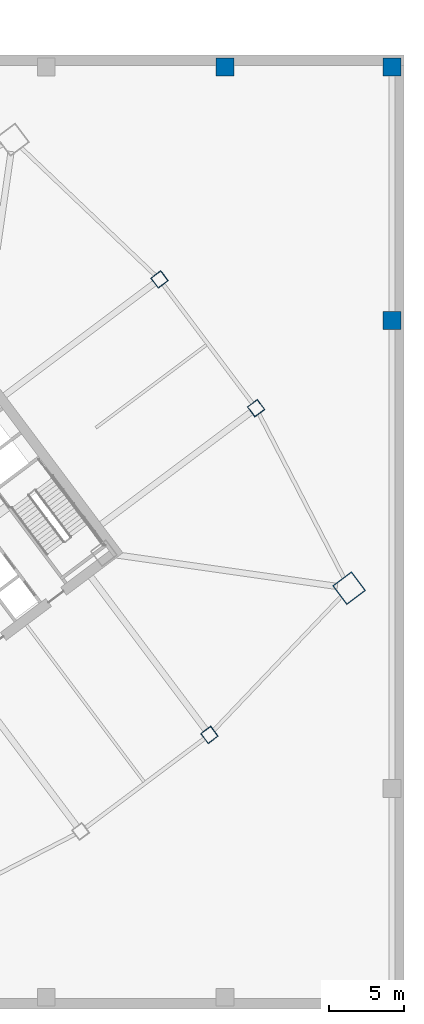
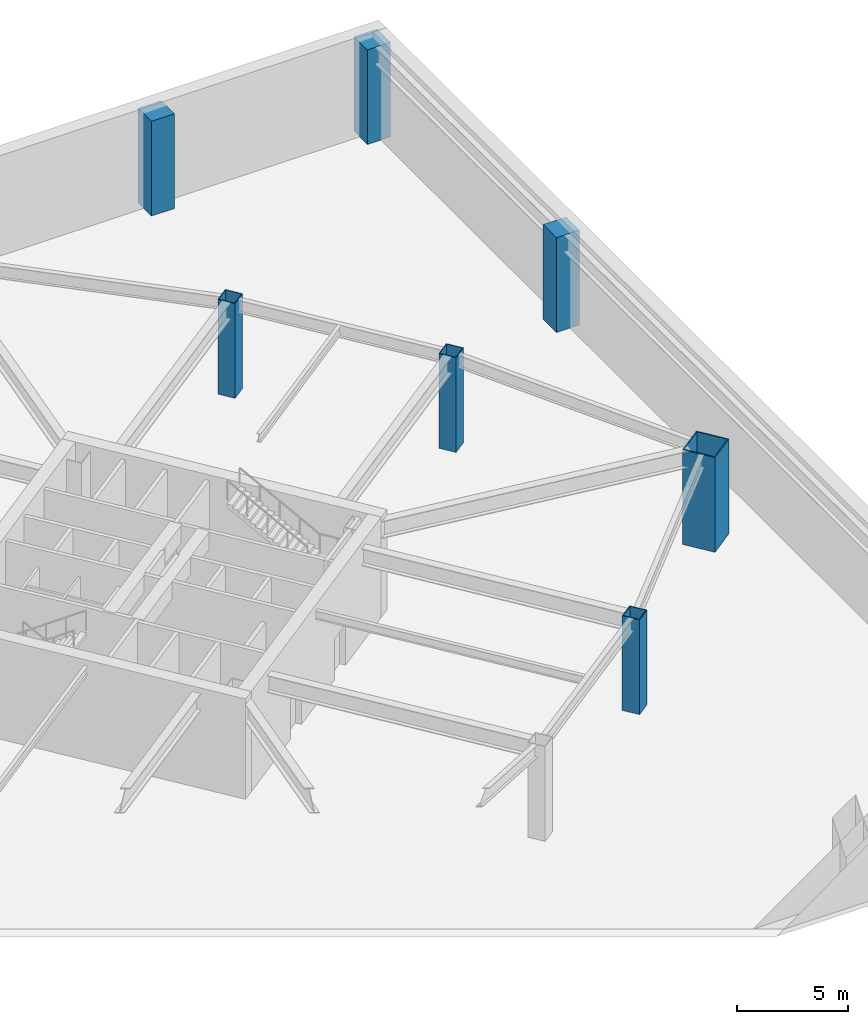
# One storey, part 4 of 17: 7 columns.
"""IFC4 building model written with IfcOpenShell, lengths in metres."""

import ifcopenshell
import ifcopenshell.guid

model = None  # the IFC model being written
_history = None  # IfcOwnerHistory: only IFC2X3 demands one
_inside = {}  # id of a spatial element -> (the spatial element, [elements in it])
_under = {}  # id of a project, library or spatial element -> (it, [spatial elements below it])
_declared = {}  # id of a project -> (the project, [libraries it declares])
_typed = {}  # id of a type object -> (the type object, [elements of that type])
_made_of = {}  # id of a material, layer set ... -> (it, [elements and type objects made of it])


def new_model(schema):
    """Start an empty IFC model of exactly this schema.

    Asked for "IFC4X3", IfcOpenShell would pick the latest addendum, in which some entities
    have other attributes; the version numbers below select the first issue.
    IFC2X3 requires an IfcOwnerHistory on every rooted entity: one is made here for all.
    """
    global model, _history
    if schema == "IFC4X3":
        model = ifcopenshell.file(schema_version=(4, 3, 0, 0))
    else:
        model = ifcopenshell.file(schema=schema)
    _inside.clear()
    _under.clear()
    _declared.clear()
    _typed.clear()
    _made_of.clear()
    _history = None
    if model.schema == "IFC2X3":
        org = make("IfcOrganization", Name="unknown")
        user = make(
            "IfcPersonAndOrganization",
            ThePerson=make("IfcPerson", FamilyName="unknown"),
            TheOrganization=org,
        )
        app = make(
            "IfcApplication",
            ApplicationDeveloper=org,
            Version="unknown",
            ApplicationFullName="unknown",
            ApplicationIdentifier="unknown",
        )
        _history = make(
            "IfcOwnerHistory",
            OwningUser=user,
            OwningApplication=app,
            ChangeAction="ADDED",
            CreationDate=0,
        )
    return model


def make(cls, **values):
    """One entity of the class cls with the attributes given. An attribute that is None is left unset."""
    return model.create_entity(
        cls, **{name: value for name, value in values.items() if value is not None}
    )


def rooted(cls, **values):
    """An entity with a GlobalId (a new one), such as an element, a storey or a relation."""
    return make(cls, GlobalId=ifcopenshell.guid.new(), OwnerHistory=_history, **values)


def si_unit(unit_type, name, prefix=None):
    """IfcSIUnit, for example si_unit("LENGTHUNIT", "METRE", prefix="MILLI")."""
    return make("IfcSIUnit", UnitType=unit_type, Prefix=prefix, Name=name)


def assignment(units):
    """IfcUnitAssignment: the units of a project."""
    return None if units is None else make("IfcUnitAssignment", Units=units)


def point(xyz):
    """IfcCartesianPoint."""
    return None if xyz is None else make("IfcCartesianPoint", Coordinates=xyz)


def direction(xyz):
    """IfcDirection."""
    return None if xyz is None else make("IfcDirection", DirectionRatios=xyz)


def frame(location, z_axis=None, x_axis=None):
    """IfcAxis2Placement3D, a coordinate frame: its origin and axes. An axis left out is left unset."""
    return make(
        "IfcAxis2Placement3D",
        Location=point(location),
        Axis=direction(z_axis),
        RefDirection=direction(x_axis),
    )


def frame_2d(location, x_axis=None):
    """IfcAxis2Placement2D, a coordinate frame in the plane: its origin and x axis."""
    return make(
        "IfcAxis2Placement2D", Location=point(location), RefDirection=direction(x_axis)
    )


def origin():
    """The frame at (0, 0, 0) with its axes left unset."""
    return frame((0.0, 0.0, 0.0))


def origin_2d():
    """The frame at (0, 0) in the plane with its x axis left unset."""
    return frame_2d((0.0, 0.0))


def place(relative_to, where):
    """IfcLocalPlacement: puts the frame where relative to a parent placement (None: the world)."""
    return make(
        "IfcLocalPlacement", PlacementRelTo=relative_to, RelativePlacement=where
    )


def context(
    kind, dimensions, precision=None, world=None, true_north=None, identifier=None
):
    """IfcGeometricRepresentationContext, for example the 3D "Model" context."""
    return make(
        "IfcGeometricRepresentationContext",
        ContextIdentifier=identifier,
        ContextType=kind,
        CoordinateSpaceDimension=dimensions,
        Precision=precision,
        WorldCoordinateSystem=world,
        TrueNorth=true_north,
    )


def subcontext(parent, identifier, kind, view, scale=None):
    """IfcGeometricRepresentationSubContext, for example "Body" below "Model"."""
    return make(
        "IfcGeometricRepresentationSubContext",
        ContextIdentifier=identifier,
        ContextType=kind,
        ParentContext=parent,
        TargetScale=scale,
        TargetView=view,
    )


def project(units=None, contexts=None):
    """IfcProject with its units and contexts."""
    return rooted(
        "IfcProject",
        Name="project",
        RepresentationContexts=contexts,
        UnitsInContext=assignment(units),
    )


def spatial(cls, under=None, at=None, **own):
    """A site, building, storey or space (cls), placed at a placement, below another one or the project."""
    s = rooted(cls, ObjectPlacement=at, **own)
    if under is not None:
        _under.setdefault(under.id(), (under, []))[1].append(s)
    return s


def profile(cls, at=None, kind="AREA", **sizes):
    """A parametric profile (cls). Its sizes go by their IFC names, for example OverallWidth=200.0."""
    return make(cls, ProfileType=kind, Position=at, **sizes)


def rectangle(**sizes):
    """IfcRectangleProfileDef."""
    return profile("IfcRectangleProfileDef", **sizes)


def hollow_rectangle(**sizes):
    """IfcRectangleHollowProfileDef."""
    return profile("IfcRectangleHollowProfileDef", **sizes)


def extrude(swept, where, along, depth):
    """IfcExtrudedAreaSolid: the profile swept, set in the frame where, extruded along a direction by depth."""
    return make(
        "IfcExtrudedAreaSolid",
        SweptArea=swept,
        Position=where,
        ExtrudedDirection=direction(along),
        Depth=depth,
    )


def shape(context_of_items, identifier, shape_type, items):
    """IfcShapeRepresentation: the items that make up one representation, for example the "Body"."""
    return make(
        "IfcShapeRepresentation",
        ContextOfItems=context_of_items,
        RepresentationIdentifier=identifier,
        RepresentationType=shape_type,
        Items=items,
    )


def material(Name=None, Category=None):
    """IfcMaterial."""
    return make("IfcMaterial", Name=Name, Category=Category)


def material_profile(
    of_material, cross_section, Name=None, Category=None, Priority=None
):
    """IfcMaterialProfile: a cross section and its material."""
    return make(
        "IfcMaterialProfile",
        Name=Name,
        Material=of_material,
        Profile=cross_section,
        Priority=Priority,
        Category=Category,
    )


def profile_set(profiles, Name=None, composite=None):
    """IfcMaterialProfileSet."""
    return make(
        "IfcMaterialProfileSet",
        Name=Name,
        MaterialProfiles=profiles,
        CompositeProfile=composite,
    )


def made_of(thing, what):
    """Note that an element or type object is made of a material, layer set ...; save() writes the relation."""
    if what is not None:
        _made_of.setdefault(what.id(), (what, []))[1].append(thing)
    return thing


def type_object(cls, material=None, **own):
    """A type object (cls), such as IfcWallType, which elements share."""
    return made_of(rooted(cls, **own), material)


def element(
    cls,
    number,
    at=None,
    inside=None,
    cuts=None,
    type_object=None,
    material=None,
    context=None,
    identifier="Body",
    shape_type=None,
    held_by="IfcProductDefinitionShape",
    body=None,
    shapes=None,
    **own,
):
    """One element of the class cls, such as IfcWall. Its Tag is "e" and its number.

    at: its placement. inside: the storey or other place that contains it. cuts: it is an
    opening in that element (IfcRelVoidsElement). A single representation is given by context,
    identifier, shape_type and body (its items); several are given by shapes. held_by: the class
    of the entity that holds the representations. save() writes the other relations.
    """
    e = rooted(cls, Tag="e%d" % number, ObjectPlacement=at, **own)
    if body is not None:
        shapes = [shape(context, identifier, shape_type, body)]
    if shapes is not None:
        e.Representation = make(held_by, Representations=shapes)
    if inside is not None:
        _inside.setdefault(inside.id(), (inside, []))[1].append(e)
    if cuts is not None:
        rooted(
            "IfcRelVoidsElement", RelatingBuildingElement=cuts, RelatedOpeningElement=e
        )
    if type_object is not None:
        _typed.setdefault(type_object.id(), (type_object, []))[1].append(e)
    return made_of(e, material)


def aggregate(whole, parts):
    """IfcRelAggregates: a whole, such as a stair, and the parts it consists of."""
    return rooted("IfcRelAggregates", RelatingObject=whole, RelatedObjects=parts)


def save(model, path):
    """Write the relations noted so far, then the file.

    IfcRelAggregates (storeys below a building ...), IfcRelContainedInSpatialStructure (elements
    in a storey), IfcRelDefinesByType, IfcRelAssociatesMaterial and IfcRelDeclares: one each for
    every whole, place, type object, material and project.
    """
    for whole, parts in _under.values():
        aggregate(whole, parts)
    for where, things in _inside.values():
        rooted(
            "IfcRelContainedInSpatialStructure",
            RelatedElements=things,
            RelatingStructure=where,
        )
    for kind, things in _typed.values():
        rooted("IfcRelDefinesByType", RelatedObjects=things, RelatingType=kind)
    for what, things in _made_of.values():
        rooted("IfcRelAssociatesMaterial", RelatedObjects=things, RelatingMaterial=what)
    for by, libraries in _declared.values():
        rooted("IfcRelDeclares", RelatingContext=by, RelatedDefinitions=libraries)
    model.write(path)


model = new_model("IFC4")

# Units and contexts
model_context = context("Model", 3, precision=1e-05, world=origin(), true_north=direction((0.0, 1.0)))
body_context = subcontext(model_context, "Body", "Model", "MODEL_VIEW")
ifc_project = project(units=[si_unit("LENGTHUNIT", "METRE"), si_unit("AREAUNIT", "SQUARE_METRE"), si_unit("VOLUMEUNIT", "CUBIC_METRE"), si_unit("PLANEANGLEUNIT", "RADIAN"), si_unit("MASSUNIT", "GRAM", prefix="KILO")], contexts=[model_context])

# Site, building, storey
site_placement = place(None, origin())
site = spatial("IfcSite", under=ifc_project, at=site_placement, CompositionType="ELEMENT")
building_placement = place(site_placement, origin())
building = spatial("IfcBuilding", under=site, at=building_placement, Name="Tashvorn Skyway Center", CompositionType="ELEMENT")
storey_placement = place(building_placement, frame((0.0, 0.0, -5.5)))
storey = spatial("IfcBuildingStorey", under=building, at=storey_placement, Name="B1", CompositionType="ELEMENT", Elevation=-5.5)

# Columns
ifc_material_1 = material(Name="Steel ASTM A572 Grade 50", Category="steel")
ifc_material_profile_1 = material_profile(ifc_material_1, hollow_rectangle(XDim=1.60009765625, YDim=1.60009765625, WallThickness=0.06005859375, at=origin_2d()), Name="BOX1600x1600x60")
ifc_profile_set_1 = profile_set([ifc_material_profile_1], Name="Steel ASTM A572 Grade 50")
column_type_1 = type_object("IfcColumnType", Name="COL-BOX1600x1600x60", PredefinedType="COLUMN", material=ifc_profile_set_1)
column_placement = place(storey_placement, frame((140.320068359375, 28.239990234375, 0.0), z_axis=(0.0, 0.0, 1.0), x_axis=(0.799999996291, 0.600000004945, 0.0)))
element("IfcColumn", 1, at=column_placement, inside=storey, type_object=column_type_1, Name="Tower 2 B1 Mega-Column MC-SE", PredefinedType="COLUMN", context=body_context, shape_type="SweptSolid", body=[
    extrude(hollow_rectangle(XDim=1.60009765625, YDim=1.60009765625, WallThickness=0.06005859375, at=origin_2d()), origin(), (0.0, 0.0, 1.0), 5.199951171875),
])
ifc_material_profile_2 = material_profile(ifc_material_1, hollow_rectangle(XDim=0.85009765625, YDim=0.85009765625, WallThickness=0.034912109375, at=origin_2d()), Name="BOX850x850x35")
ifc_profile_set_2 = profile_set([ifc_material_profile_2], Name="Steel ASTM A572 Grade 50")
column_type_2 = type_object("IfcColumnType", Name="COL-BOX850x850x35", PredefinedType="COLUMN", material=ifc_profile_set_2)
for number, where, z_axis, x_axis, name in (
    (2, (130.949951171875, 18.39990234375, 0.0), (0.0, 0.0, 1.0), (0.799999996291, 0.600000004945, 0.0), "Tower 2 B1 Perimeter Column FC-S2"),
    (3, (134.080078125, 40.31005859375, 0.0), (0.0, 0.0, 1.0), (0.799999996291, 0.600000004945, 0.0), "Tower 2 B1 Perimeter Column FC-E1"),
    (4, (127.60009765625, 48.949951171875, 0.0), (0.0, 0.0, 1.0), (0.799999996291, 0.600000004945, 0.0), "Tower 2 B1 Perimeter Column FC-E2"),
):
    element("IfcColumn", number, at=place(storey_placement, frame(where, z_axis=z_axis, x_axis=x_axis)), inside=storey, type_object=column_type_2, Name=name, PredefinedType="COLUMN", context=body_context, shape_type="SweptSolid", body=[
        extrude(hollow_rectangle(XDim=0.85009765625, YDim=0.85009765625, WallThickness=0.034912109375, at=origin_2d()), origin(), (0.0, 0.0, 1.0), 5.199951171875),
    ])
ifc_material_2 = material(Name="Concrete C50/60", Category="concrete")
ifc_material_profile_3 = material_profile(ifc_material_2, rectangle(XDim=1.199951171875, YDim=1.199951171875, at=origin_2d()), Name="RC1200x1200")
ifc_profile_set_3 = profile_set([ifc_material_profile_3], Name="Concrete C50/60")
column_type_3 = type_object("IfcColumnType", Name="COL-RC1200x1200", PredefinedType="COLUMN", material=ifc_profile_set_3)
for number, where, z_axis, x_axis, name in (
    (5, (132.0, 63.199951171875, 0.0), (0.0, 0.0, 1.0), (1.0, 0.0, 0.0), "B1 Podium Column PC-09-2"),
    (6, (143.199951171875, 63.199951171875, 0.0), (0.0, 0.0, 1.0), (1.0, 0.0, 0.0), "B1 Podium Column PC-10-2"),
    (7, (143.199951171875, 46.199951171875, 0.0), (0.0, 0.0, 1.0), (1.0, 0.0, 0.0), "B1 Podium Column PIC-06-2"),
):
    element("IfcColumn", number, at=place(storey_placement, frame(where, z_axis=z_axis, x_axis=x_axis)), inside=storey, type_object=column_type_3, Name=name, PredefinedType="COLUMN", context=body_context, shape_type="SweptSolid", body=[
        extrude(rectangle(XDim=1.199951171875, YDim=1.199951171875, at=origin_2d()), origin(), (0.0, 0.0, 1.0), 5.199951171875),
    ])

save(model, "model.ifc")
